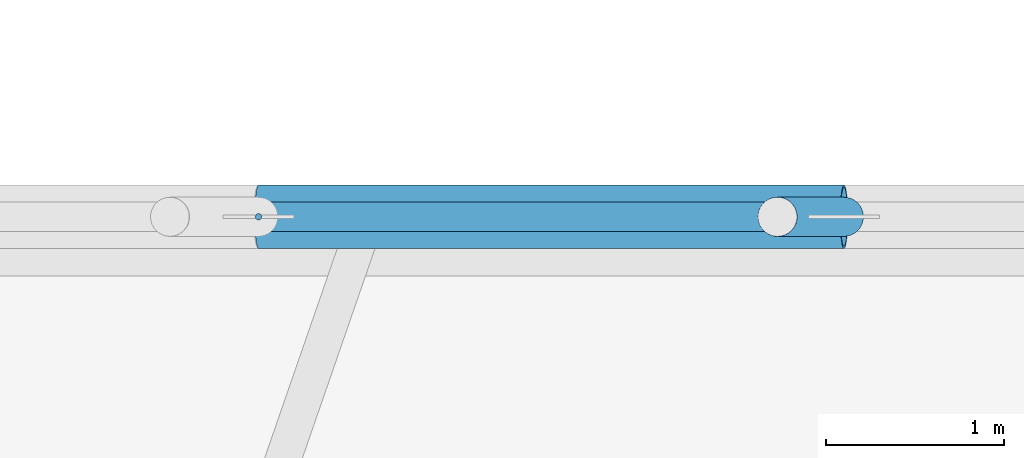
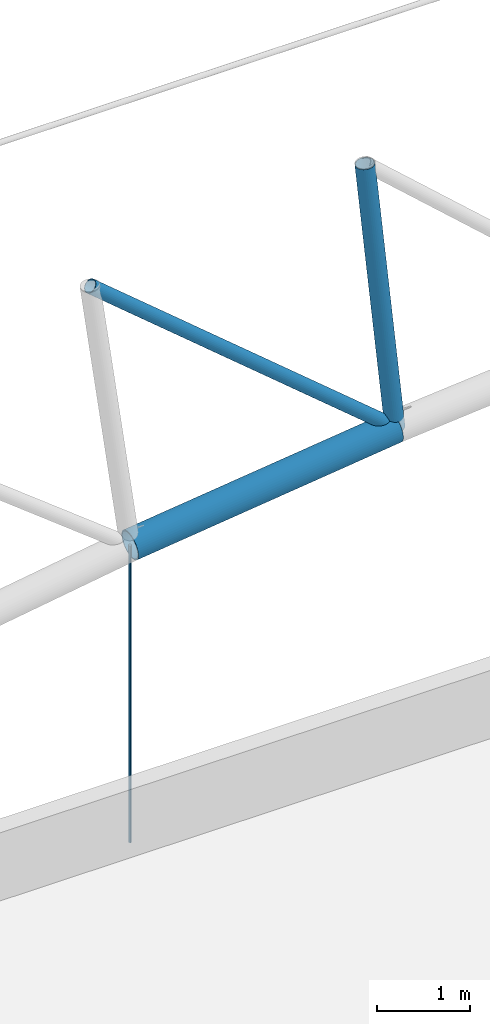
# One storey, part 18 of 321: 4 members.
"""IFC4 building model written with IfcOpenShell, lengths in metres."""

import ifcopenshell
import ifcopenshell.guid

model = None  # the IFC model being written
_history = None  # IfcOwnerHistory: only IFC2X3 demands one
_inside = {}  # id of a spatial element -> (the spatial element, [elements in it])
_under = {}  # id of a project, library or spatial element -> (it, [spatial elements below it])
_declared = {}  # id of a project -> (the project, [libraries it declares])
_typed = {}  # id of a type object -> (the type object, [elements of that type])
_made_of = {}  # id of a material, layer set ... -> (it, [elements and type objects made of it])


def new_model(schema):
    """Start an empty IFC model of exactly this schema.

    Asked for "IFC4X3", IfcOpenShell would pick the latest addendum, in which some entities
    have other attributes; the version numbers below select the first issue.
    IFC2X3 requires an IfcOwnerHistory on every rooted entity: one is made here for all.
    """
    global model, _history
    if schema == "IFC4X3":
        model = ifcopenshell.file(schema_version=(4, 3, 0, 0))
    else:
        model = ifcopenshell.file(schema=schema)
    _inside.clear()
    _under.clear()
    _declared.clear()
    _typed.clear()
    _made_of.clear()
    _history = None
    if model.schema == "IFC2X3":
        org = make("IfcOrganization", Name="unknown")
        user = make(
            "IfcPersonAndOrganization",
            ThePerson=make("IfcPerson", FamilyName="unknown"),
            TheOrganization=org,
        )
        app = make(
            "IfcApplication",
            ApplicationDeveloper=org,
            Version="unknown",
            ApplicationFullName="unknown",
            ApplicationIdentifier="unknown",
        )
        _history = make(
            "IfcOwnerHistory",
            OwningUser=user,
            OwningApplication=app,
            ChangeAction="ADDED",
            CreationDate=0,
        )
    return model


def make(cls, **values):
    """One entity of the class cls with the attributes given. An attribute that is None is left unset."""
    return model.create_entity(
        cls, **{name: value for name, value in values.items() if value is not None}
    )


def rooted(cls, **values):
    """An entity with a GlobalId (a new one), such as an element, a storey or a relation."""
    return make(cls, GlobalId=ifcopenshell.guid.new(), OwnerHistory=_history, **values)


def si_unit(unit_type, name, prefix=None):
    """IfcSIUnit, for example si_unit("LENGTHUNIT", "METRE", prefix="MILLI")."""
    return make("IfcSIUnit", UnitType=unit_type, Prefix=prefix, Name=name)


def assignment(units):
    """IfcUnitAssignment: the units of a project."""
    return None if units is None else make("IfcUnitAssignment", Units=units)


def point(xyz):
    """IfcCartesianPoint."""
    return None if xyz is None else make("IfcCartesianPoint", Coordinates=xyz)


def direction(xyz):
    """IfcDirection."""
    return None if xyz is None else make("IfcDirection", DirectionRatios=xyz)


def frame(location, z_axis=None, x_axis=None):
    """IfcAxis2Placement3D, a coordinate frame: its origin and axes. An axis left out is left unset."""
    return make(
        "IfcAxis2Placement3D",
        Location=point(location),
        Axis=direction(z_axis),
        RefDirection=direction(x_axis),
    )


def frame_2d(location, x_axis=None):
    """IfcAxis2Placement2D, a coordinate frame in the plane: its origin and x axis."""
    return make(
        "IfcAxis2Placement2D", Location=point(location), RefDirection=direction(x_axis)
    )


def origin():
    """The frame at (0, 0, 0) with its axes left unset."""
    return frame((0.0, 0.0, 0.0))


def origin_2d():
    """The frame at (0, 0) in the plane with its x axis left unset."""
    return frame_2d((0.0, 0.0))


def place(relative_to, where):
    """IfcLocalPlacement: puts the frame where relative to a parent placement (None: the world)."""
    return make(
        "IfcLocalPlacement", PlacementRelTo=relative_to, RelativePlacement=where
    )


def context(
    kind, dimensions, precision=None, world=None, true_north=None, identifier=None
):
    """IfcGeometricRepresentationContext, for example the 3D "Model" context."""
    return make(
        "IfcGeometricRepresentationContext",
        ContextIdentifier=identifier,
        ContextType=kind,
        CoordinateSpaceDimension=dimensions,
        Precision=precision,
        WorldCoordinateSystem=world,
        TrueNorth=true_north,
    )


def subcontext(parent, identifier, kind, view, scale=None):
    """IfcGeometricRepresentationSubContext, for example "Body" below "Model"."""
    return make(
        "IfcGeometricRepresentationSubContext",
        ContextIdentifier=identifier,
        ContextType=kind,
        ParentContext=parent,
        TargetScale=scale,
        TargetView=view,
    )


def project(units=None, contexts=None):
    """IfcProject with its units and contexts."""
    return rooted(
        "IfcProject",
        Name="project",
        RepresentationContexts=contexts,
        UnitsInContext=assignment(units),
    )


def spatial(cls, under=None, at=None, **own):
    """A site, building, storey or space (cls), placed at a placement, below another one or the project."""
    s = rooted(cls, ObjectPlacement=at, **own)
    if under is not None:
        _under.setdefault(under.id(), (under, []))[1].append(s)
    return s


def profile(cls, at=None, kind="AREA", **sizes):
    """A parametric profile (cls). Its sizes go by their IFC names, for example OverallWidth=200.0."""
    return make(cls, ProfileType=kind, Position=at, **sizes)


def circle(**sizes):
    """IfcCircleProfileDef."""
    return profile("IfcCircleProfileDef", **sizes)


def hollow_circle(**sizes):
    """IfcCircleHollowProfileDef."""
    return profile("IfcCircleHollowProfileDef", **sizes)


def extrude(swept, where, along, depth):
    """IfcExtrudedAreaSolid: the profile swept, set in the frame where, extruded along a direction by depth."""
    return make(
        "IfcExtrudedAreaSolid",
        SweptArea=swept,
        Position=where,
        ExtrudedDirection=direction(along),
        Depth=depth,
    )


def shape(context_of_items, identifier, shape_type, items):
    """IfcShapeRepresentation: the items that make up one representation, for example the "Body"."""
    return make(
        "IfcShapeRepresentation",
        ContextOfItems=context_of_items,
        RepresentationIdentifier=identifier,
        RepresentationType=shape_type,
        Items=items,
    )


def material(Name=None, Category=None):
    """IfcMaterial."""
    return make("IfcMaterial", Name=Name, Category=Category)


def material_profile(
    of_material, cross_section, Name=None, Category=None, Priority=None
):
    """IfcMaterialProfile: a cross section and its material."""
    return make(
        "IfcMaterialProfile",
        Name=Name,
        Material=of_material,
        Profile=cross_section,
        Priority=Priority,
        Category=Category,
    )


def profile_set(profiles, Name=None, composite=None):
    """IfcMaterialProfileSet."""
    return make(
        "IfcMaterialProfileSet",
        Name=Name,
        MaterialProfiles=profiles,
        CompositeProfile=composite,
    )


def made_of(thing, what):
    """Note that an element or type object is made of a material, layer set ...; save() writes the relation."""
    if what is not None:
        _made_of.setdefault(what.id(), (what, []))[1].append(thing)
    return thing


def type_object(cls, material=None, **own):
    """A type object (cls), such as IfcWallType, which elements share."""
    return made_of(rooted(cls, **own), material)


def element(
    cls,
    number,
    at=None,
    inside=None,
    cuts=None,
    type_object=None,
    material=None,
    context=None,
    identifier="Body",
    shape_type=None,
    held_by="IfcProductDefinitionShape",
    body=None,
    shapes=None,
    **own,
):
    """One element of the class cls, such as IfcWall. Its Tag is "e" and its number.

    at: its placement. inside: the storey or other place that contains it. cuts: it is an
    opening in that element (IfcRelVoidsElement). A single representation is given by context,
    identifier, shape_type and body (its items); several are given by shapes. held_by: the class
    of the entity that holds the representations. save() writes the other relations.
    """
    e = rooted(cls, Tag="e%d" % number, ObjectPlacement=at, **own)
    if body is not None:
        shapes = [shape(context, identifier, shape_type, body)]
    if shapes is not None:
        e.Representation = make(held_by, Representations=shapes)
    if inside is not None:
        _inside.setdefault(inside.id(), (inside, []))[1].append(e)
    if cuts is not None:
        rooted(
            "IfcRelVoidsElement", RelatingBuildingElement=cuts, RelatedOpeningElement=e
        )
    if type_object is not None:
        _typed.setdefault(type_object.id(), (type_object, []))[1].append(e)
    return made_of(e, material)


def aggregate(whole, parts):
    """IfcRelAggregates: a whole, such as a stair, and the parts it consists of."""
    return rooted("IfcRelAggregates", RelatingObject=whole, RelatedObjects=parts)


def save(model, path):
    """Write the relations noted so far, then the file.

    IfcRelAggregates (storeys below a building ...), IfcRelContainedInSpatialStructure (elements
    in a storey), IfcRelDefinesByType, IfcRelAssociatesMaterial and IfcRelDeclares: one each for
    every whole, place, type object, material and project.
    """
    for whole, parts in _under.values():
        aggregate(whole, parts)
    for where, things in _inside.values():
        rooted(
            "IfcRelContainedInSpatialStructure",
            RelatedElements=things,
            RelatingStructure=where,
        )
    for kind, things in _typed.values():
        rooted("IfcRelDefinesByType", RelatedObjects=things, RelatingType=kind)
    for what, things in _made_of.values():
        rooted("IfcRelAssociatesMaterial", RelatedObjects=things, RelatingMaterial=what)
    for by, libraries in _declared.values():
        rooted("IfcRelDeclares", RelatingContext=by, RelatedDefinitions=libraries)
    model.write(path)


model = new_model("IFC4")

# Units and contexts
model_context = context("Model", 3, precision=1e-05, world=origin(), true_north=direction((0.0, 1.0)))
body_context = subcontext(model_context, "Body", "Model", "MODEL_VIEW")
ifc_project = project(units=[si_unit("LENGTHUNIT", "METRE"), si_unit("AREAUNIT", "SQUARE_METRE"), si_unit("VOLUMEUNIT", "CUBIC_METRE"), si_unit("PLANEANGLEUNIT", "RADIAN"), si_unit("MASSUNIT", "GRAM", prefix="KILO")], contexts=[model_context])

# Site, building, storey
site_placement = place(None, origin())
site = spatial("IfcSite", under=ifc_project, at=site_placement, CompositionType="ELEMENT")
building_placement = place(site_placement, origin())
building = spatial("IfcBuilding", under=site, at=building_placement, Name="Ravi Spectrum Wholesale Market", CompositionType="ELEMENT")
storey_placement = place(building_placement, frame((0.0, 0.0, 10.800048828125)))
storey = spatial("IfcBuildingStorey", under=building, at=storey_placement, Name="L02", CompositionType="ELEMENT", Elevation=10.800048828125)

# Members
ifc_material_1 = material(Name="Steel S355", Category="steel")
ifc_material_profile_1 = material_profile(ifc_material_1, hollow_circle(Radius=0.084228515625, WallThickness=0.00634765625, at=origin_2d()))
ifc_profile_set_1 = profile_set([ifc_material_profile_1], Name="Steel S355")
member_type_1 = type_object("IfcMemberType", Name="CHS 168.3x6.3 brace", PredefinedType="BRACE", material=ifc_profile_set_1)
member_1_placement = place(storey_placement, frame((56.321533203125, 30.0, 7.45458984375), z_axis=(0.766252893925, 0.0, -0.642539105854), x_axis=(0.0, 1.0, 0.0)))
element("IfcMember", 1, at=member_1_placement, inside=storey, type_object=member_type_1, Name="H1-MB-L02-079", PredefinedType="BRACE", context=body_context, shape_type="SweptSolid", body=[
    extrude(hollow_circle(Radius=0.084228515625, WallThickness=0.00634765625, at=origin_2d()), origin(), (0.0, 0.0, 1.0), 4.9296875),
])
ifc_material_2 = material(Name="Steel S355", Category="steel")
ifc_material_profile_2 = material_profile(ifc_material_2, hollow_circle(Radius=0.109619140625, WallThickness=0.008056640625, at=origin_2d()))
ifc_profile_set_2 = profile_set([ifc_material_profile_2], Name="Steel S355")
member_type_2 = type_object("IfcMemberType", Name="CHS 219.1x8 post", PredefinedType="POST", material=ifc_profile_set_2)
member_2_placement = place(storey_placement, frame((59.726806640625, 30.0, 7.867919921875), z_axis=(0.103350310801, 0.0, -0.994645018716), x_axis=(0.0, 1.0, 0.0)))
element("IfcMember", 2, at=member_2_placement, inside=storey, type_object=member_type_2, Name="H1-MB-L02-057", PredefinedType="POST", context=body_context, shape_type="SweptSolid", body=[
    extrude(hollow_circle(Radius=0.109619140625, WallThickness=0.008056640625, at=origin_2d()), origin(), (0.0, 0.0, 1.0), 3.60009765625),
])
ifc_material_3 = material(Name="Steel S355", Category="steel")
ifc_material_profile_3 = material_profile(ifc_material_3, hollow_circle(Radius=0.177734375, WallThickness=0.012451171875, at=origin_2d()))
ifc_profile_set_3 = profile_set([ifc_material_profile_3], Name="Steel S355")
member_type_3 = type_object("IfcMemberType", Name="CHS 355.6x12.5 chord", PredefinedType="CHORD", material=ifc_profile_set_3)
member_3_placement = place(storey_placement, frame((56.81689453125, 30.0, 3.888916015625), z_axis=(0.99272014244, 0.0, 0.120443840833), x_axis=(0.0, 1.0, 0.0)))
element("IfcMember", 3, at=member_3_placement, inside=storey, type_object=member_type_3, Name="H1-MB-L02-033", PredefinedType="CHORD", context=body_context, shape_type="SweptSolid", body=[
    extrude(hollow_circle(Radius=0.177734375, WallThickness=0.012451171875, at=origin_2d()), origin(), (0.0, 0.0, 1.0), 3.30615234375),
])
ifc_material_4 = material(Name="Steel S355", Category="steel")
ifc_material_profile_4 = material_profile(ifc_material_4, circle(Radius=0.01806640625, at=origin_2d()))
ifc_profile_set_4 = profile_set([ifc_material_profile_4], Name="Steel S355")
member_type_4 = type_object("IfcMemberType", Name="ROD 36 hanger", PredefinedType="STRUT", material=ifc_profile_set_4)
member_4_placement = place(storey_placement, frame((56.81689453125, 30.0, 0.0), z_axis=(0.0, 0.0, 1.0), x_axis=(1.0, 0.0, 0.0)))
element("IfcMember", 4, at=member_4_placement, inside=storey, type_object=member_type_4, Name="H1-MB-L02-096", PredefinedType="STRUT", context=body_context, shape_type="SweptSolid", body=[
    extrude(circle(Radius=0.01806640625, at=origin_2d()), origin(), (0.0, 0.0, 1.0), 3.888916015625),
])

save(model, "model.ifc")
